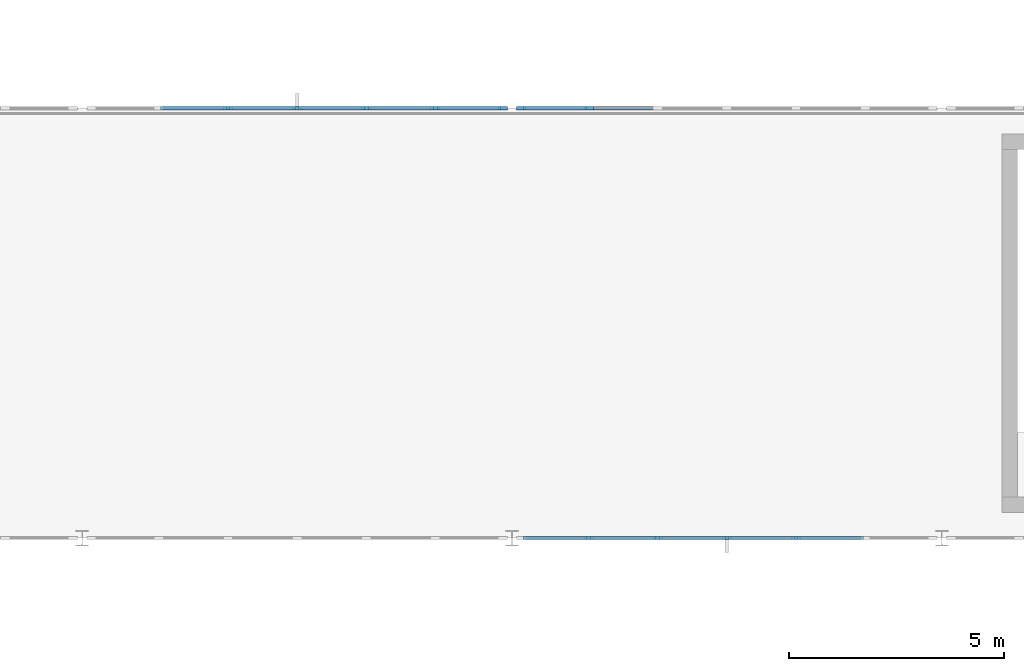
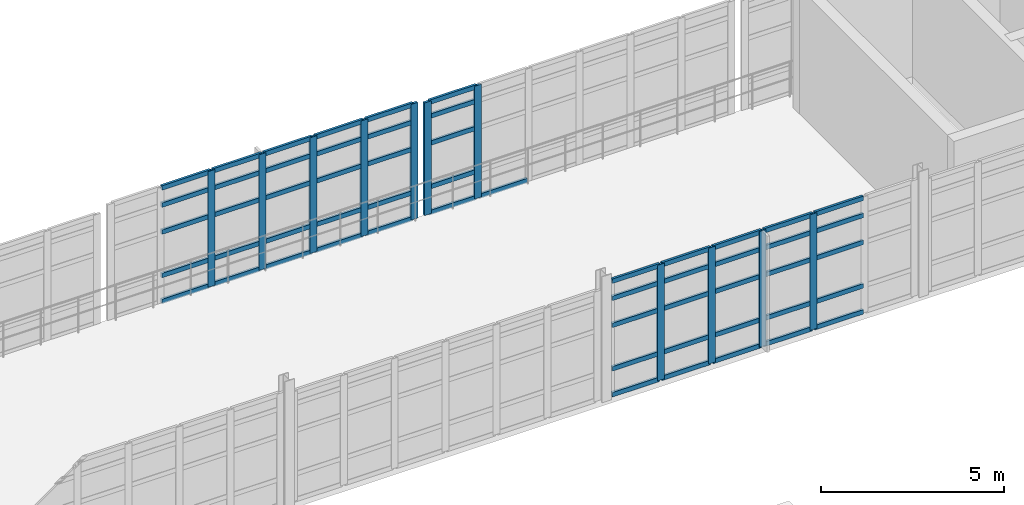
# One storey, part 45 of 122: 67 members, 3 elements without a shape of their own.
"""IFC4 building model written with IfcOpenShell, lengths in metres."""

from ifc_helpers import new_model, si_unit, direction, frame, origin, origin_2d, place, context, subcontext, project, spatial, rectangle, extrude, material, layer, layer_set, material_profile, profile_set, type_object, element, aggregate, save


model = new_model("IFC4")

# Units and contexts
model_context = context("Model", 3, precision=1e-05, world=origin(), true_north=direction((0.0, 1.0)))
body_context = subcontext(model_context, "Body", "Model", "MODEL_VIEW")
ifc_project = project(units=[si_unit("LENGTHUNIT", "METRE"), si_unit("AREAUNIT", "SQUARE_METRE"), si_unit("VOLUMEUNIT", "CUBIC_METRE"), si_unit("PLANEANGLEUNIT", "RADIAN"), si_unit("MASSUNIT", "GRAM", prefix="KILO"), si_unit("THERMODYNAMICTEMPERATUREUNIT", "KELVIN"), si_unit("POWERUNIT", "WATT")], contexts=[model_context])

# Site, building, storey
site_placement = place(None, origin())
site = spatial("IfcSite", under=ifc_project, at=site_placement, CompositionType="ELEMENT")
building_placement = place(site_placement, origin())
building = spatial("IfcBuilding", under=site, at=building_placement, Name="Korenveer Ferry Terminal", CompositionType="ELEMENT")
storey_placement = place(building_placement, frame((0.0, 0.0, 10.199951171875)))
storey = spatial("IfcBuildingStorey", under=building, at=storey_placement, Name="L02", CompositionType="ELEMENT", Elevation=10.199951171875)

# Curtain wall, members
ifc_material_1 = material(Name="Unitised bronze-and-glass curtain wall", Category="glass")
ifc_layer_1 = layer(ifc_material_1, 0.219970703125)
ifc_layer_set_1 = layer_set([ifc_layer_1], Name="Unitised bronze-and-glass curtain wall")
curtain_wall_type_1 = type_object("IfcCurtainWallType", Name="ENV-CW-92", PredefinedType="USERDEFINED", material=ifc_layer_set_1)
curtain_wall_1_placement = place(storey_placement, frame((103.179931640625, 50.0, 0.0)))
curtain_wall_1 = element("IfcCurtainWall", 1, at=curtain_wall_1_placement, inside=storey, type_object=curtain_wall_type_1, Name="Lancet curtain wall CWX-L02-X103-113-Y50-50", ObjectType="UNITISED CURTAIN WALL", PredefinedType="USERDEFINED")
ifc_material_2 = material(Name="Anodised bronze aluminium", Category="aluminium")
ifc_material_profile_1 = material_profile(ifc_material_2, rectangle(XDim=0.074951171875, YDim=0.219970703125, at=origin_2d()), Name="ALU 75x220")
ifc_profile_set_1 = profile_set([ifc_material_profile_1], Name="Anodised bronze aluminium")
member_type_1 = type_object("IfcMemberType", Name="ENV-CWM-75X220", PredefinedType="MULLION", material=ifc_profile_set_1)
member_1_placement = place(storey_placement, frame((104.78662109375, 50.0, 0.0), z_axis=(0.0, 0.0, 1.0), x_axis=(0.0, 1.0, 0.0)))
member_1 = element("IfcMember", 2, at=member_1_placement, type_object=member_type_1, Name="CW-92 mullion 2", PredefinedType="MULLION", context=body_context, shape_type="SweptSolid", body=[
    extrude(rectangle(XDim=0.074951171875, YDim=0.219970703125, at=origin_2d()), origin(), (0.0, 0.0, 1.0), 3.860107421875),
])
member_2_placement = place(storey_placement, frame((106.393310546875, 50.0, 0.0), z_axis=(0.0, 0.0, 1.0), x_axis=(0.0, 1.0, 0.0)))
member_2 = element("IfcMember", 3, at=member_2_placement, type_object=member_type_1, Name="CW-92 mullion 3", PredefinedType="MULLION", context=body_context, shape_type="SweptSolid", body=[
    extrude(rectangle(XDim=0.074951171875, YDim=0.219970703125, at=origin_2d()), origin(), (0.0, 0.0, 1.0), 3.860107421875),
])
member_3_placement = place(storey_placement, frame((108.0, 50.0, 0.0), z_axis=(0.0, 0.0, 1.0), x_axis=(0.0, 1.0, 0.0)))
member_3 = element("IfcMember", 4, at=member_3_placement, type_object=member_type_1, Name="CW-92 mullion 4", PredefinedType="MULLION", context=body_context, shape_type="SweptSolid", body=[
    extrude(rectangle(XDim=0.074951171875, YDim=0.219970703125, at=origin_2d()), origin(), (0.0, 0.0, 1.0), 3.860107421875),
])
member_4_placement = place(storey_placement, frame((109.606689453125, 50.0, 0.0), z_axis=(0.0, 0.0, 1.0), x_axis=(0.0, 1.0, 0.0)))
member_4 = element("IfcMember", 5, at=member_4_placement, type_object=member_type_1, Name="CW-92 mullion 5", PredefinedType="MULLION", context=body_context, shape_type="SweptSolid", body=[
    extrude(rectangle(XDim=0.074951171875, YDim=0.219970703125, at=origin_2d()), origin(), (0.0, 0.0, 1.0), 3.860107421875),
])

curtain_wall_2_placement = place(storey_placement, frame((93.179931640625, 60.0, 0.0)))
curtain_wall_2 = element("IfcCurtainWall", 6, at=curtain_wall_2_placement, inside=storey, type_object=curtain_wall_type_1, Name="Lancet curtain wall CWX-L02-X93-103-Y60-60", ObjectType="UNITISED CURTAIN WALL", PredefinedType="USERDEFINED")
member_5_placement = place(storey_placement, frame((96.393310546875, 60.0, 0.0), z_axis=(0.0, 0.0, 1.0), x_axis=(0.0, 1.0, 0.0)))
member_5 = element("IfcMember", 7, at=member_5_placement, type_object=member_type_1, Name="CW-92 mullion 3", PredefinedType="MULLION", context=body_context, shape_type="SweptSolid", body=[
    extrude(rectangle(XDim=0.074951171875, YDim=0.219970703125, at=origin_2d()), origin(), (0.0, 0.0, 1.0), 3.860107421875),
])
member_6_placement = place(storey_placement, frame((98.0, 60.0, 0.0), z_axis=(0.0, 0.0, 1.0), x_axis=(0.0, 1.0, 0.0)))
member_6 = element("IfcMember", 8, at=member_6_placement, type_object=member_type_1, Name="CW-92 mullion 4", PredefinedType="MULLION", context=body_context, shape_type="SweptSolid", body=[
    extrude(rectangle(XDim=0.074951171875, YDim=0.219970703125, at=origin_2d()), origin(), (0.0, 0.0, 1.0), 3.860107421875),
])
member_7_placement = place(storey_placement, frame((99.606689453125, 60.0, 0.0), z_axis=(0.0, 0.0, 1.0), x_axis=(0.0, 1.0, 0.0)))
member_7 = element("IfcMember", 9, at=member_7_placement, type_object=member_type_1, Name="CW-92 mullion 5", PredefinedType="MULLION", context=body_context, shape_type="SweptSolid", body=[
    extrude(rectangle(XDim=0.074951171875, YDim=0.219970703125, at=origin_2d()), origin(), (0.0, 0.0, 1.0), 3.860107421875),
])
member_8_placement = place(storey_placement, frame((101.21337890625, 60.0, 0.0), z_axis=(0.0, 0.0, 1.0), x_axis=(0.0, 1.0, 0.0)))
member_8 = element("IfcMember", 10, at=member_8_placement, type_object=member_type_1, Name="CW-92 mullion 6", PredefinedType="MULLION", context=body_context, shape_type="SweptSolid", body=[
    extrude(rectangle(XDim=0.074951171875, YDim=0.219970703125, at=origin_2d()), origin(), (0.0, 0.0, 1.0), 3.860107421875),
])
member_9_placement = place(storey_placement, frame((102.782470703125, 60.0, 0.0), z_axis=(0.0, 0.0, 1.0), x_axis=(0.0, 1.0, 0.0)))
member_9 = element("IfcMember", 11, at=member_9_placement, type_object=member_type_1, Name="CW-92 mullion 7", PredefinedType="MULLION", context=body_context, shape_type="SweptSolid", body=[
    extrude(rectangle(XDim=0.074951171875, YDim=0.219970703125, at=origin_2d()), origin(), (0.0, 0.0, 1.0), 3.860107421875),
])

ifc_layer_2 = layer(ifc_material_1, 0.219970703125)
ifc_layer_set_2 = layer_set([ifc_layer_2], Name="Unitised bronze-and-glass curtain wall")
curtain_wall_type_2 = type_object("IfcCurtainWallType", Name="ENV-CW-90", PredefinedType="USERDEFINED", material=ifc_layer_set_2)
curtain_wall_3_placement = place(storey_placement, frame((103.179931640625, 60.0, 0.0)))
curtain_wall_3 = element("IfcCurtainWall", 12, at=curtain_wall_3_placement, inside=storey, type_object=curtain_wall_type_2, Name="Lancet curtain wall CWX-L02-X103-113-Y60-60", ObjectType="UNITISED CURTAIN WALL", PredefinedType="USERDEFINED")
member_10_placement = place(storey_placement, frame((103.217529296875, 60.0, 0.0), z_axis=(0.0, 0.0, 1.0), x_axis=(0.0, 1.0, 0.0)))
member_10 = element("IfcMember", 13, at=member_10_placement, type_object=member_type_1, Name="CW-90 mullion 1", PredefinedType="MULLION", context=body_context, shape_type="SweptSolid", body=[
    extrude(rectangle(XDim=0.074951171875, YDim=0.219970703125, at=origin_2d()), origin(), (0.0, 0.0, 1.0), 3.760009765625),
])
member_11_placement = place(storey_placement, frame((104.78662109375, 60.0, 0.0), z_axis=(0.0, 0.0, 1.0), x_axis=(0.0, 1.0, 0.0)))
member_11 = element("IfcMember", 14, at=member_11_placement, type_object=member_type_1, Name="CW-90 mullion 2", PredefinedType="MULLION", context=body_context, shape_type="SweptSolid", body=[
    extrude(rectangle(XDim=0.074951171875, YDim=0.219970703125, at=origin_2d()), origin(), (0.0, 0.0, 1.0), 3.760009765625),
])

# Member
ifc_material_profile_2 = material_profile(ifc_material_2, rectangle(XDim=0.074951171875, YDim=0.14990234375, at=origin_2d()), Name="ALU 75x150")
ifc_profile_set_2 = profile_set([ifc_material_profile_2], Name="Anodised bronze aluminium")
member_type_2 = type_object("IfcMemberType", Name="ENV-CWT-75X150", PredefinedType="USERDEFINED", material=ifc_profile_set_2)
member_12_placement = place(storey_placement, frame((103.2548828125, 50.0, 0.03759765625), z_axis=(1.0, 0.0, 0.0), x_axis=(0.0, 1.0, 0.0)))
member_12 = element("IfcMember", 15, at=member_12_placement, type_object=member_type_2, Name="CW-92 transom 1.1", ObjectType="TRANSOM", PredefinedType="USERDEFINED", context=body_context, shape_type="SweptSolid", body=[
    extrude(rectangle(XDim=0.074951171875, YDim=0.14990234375, at=origin_2d()), origin(), (0.0, 0.0, 1.0), 1.494384765625),
])

member_13_placement = place(storey_placement, frame((103.2548828125, 50.0, 0.900146484375), z_axis=(1.0, 0.0, 0.0), x_axis=(0.0, 1.0, 0.0)))
member_13 = element("IfcMember", 16, at=member_13_placement, type_object=member_type_2, Name="CW-92 transom 1.2", ObjectType="TRANSOM", PredefinedType="USERDEFINED", context=body_context, shape_type="SweptSolid", body=[
    extrude(rectangle(XDim=0.074951171875, YDim=0.14990234375, at=origin_2d()), origin(), (0.0, 0.0, 1.0), 1.494384765625),
])

member_14_placement = place(storey_placement, frame((103.2548828125, 50.0, 2.35009765625), z_axis=(1.0, 0.0, 0.0), x_axis=(0.0, 1.0, 0.0)))
member_14 = element("IfcMember", 17, at=member_14_placement, type_object=member_type_2, Name="CW-92 transom 1.3", ObjectType="TRANSOM", PredefinedType="USERDEFINED", context=body_context, shape_type="SweptSolid", body=[
    extrude(rectangle(XDim=0.074951171875, YDim=0.14990234375, at=origin_2d()), origin(), (0.0, 0.0, 1.0), 1.494384765625),
])

member_15_placement = place(storey_placement, frame((103.2548828125, 50.0, 3.25), z_axis=(1.0, 0.0, 0.0), x_axis=(0.0, 1.0, 0.0)))
member_15 = element("IfcMember", 18, at=member_15_placement, type_object=member_type_2, Name="CW-92 transom 1.4", ObjectType="TRANSOM", PredefinedType="USERDEFINED", context=body_context, shape_type="SweptSolid", body=[
    extrude(rectangle(XDim=0.074951171875, YDim=0.14990234375, at=origin_2d()), origin(), (0.0, 0.0, 1.0), 1.494384765625),
])

member_16_placement = place(storey_placement, frame((103.2548828125, 50.0, 3.822509765625), z_axis=(1.0, 0.0, 0.0), x_axis=(0.0, 1.0, 0.0)))
member_16 = element("IfcMember", 19, at=member_16_placement, type_object=member_type_2, Name="CW-92 transom 1.5", ObjectType="TRANSOM", PredefinedType="USERDEFINED", context=body_context, shape_type="SweptSolid", body=[
    extrude(rectangle(XDim=0.074951171875, YDim=0.14990234375, at=origin_2d()), origin(), (0.0, 0.0, 1.0), 1.494384765625),
])

member_17_placement = place(storey_placement, frame((104.82421875, 50.0, 0.03759765625), z_axis=(1.0, 0.0, 0.0), x_axis=(0.0, 1.0, 0.0)))
member_17 = element("IfcMember", 20, at=member_17_placement, type_object=member_type_2, Name="CW-92 transom 2.1", ObjectType="TRANSOM", PredefinedType="USERDEFINED", context=body_context, shape_type="SweptSolid", body=[
    extrude(rectangle(XDim=0.074951171875, YDim=0.14990234375, at=origin_2d()), origin(), (0.0, 0.0, 1.0), 1.531494140625),
])

member_18_placement = place(storey_placement, frame((104.82421875, 50.0, 0.900146484375), z_axis=(1.0, 0.0, 0.0), x_axis=(0.0, 1.0, 0.0)))
member_18 = element("IfcMember", 21, at=member_18_placement, type_object=member_type_2, Name="CW-92 transom 2.2", ObjectType="TRANSOM", PredefinedType="USERDEFINED", context=body_context, shape_type="SweptSolid", body=[
    extrude(rectangle(XDim=0.074951171875, YDim=0.14990234375, at=origin_2d()), origin(), (0.0, 0.0, 1.0), 1.531494140625),
])

member_19_placement = place(storey_placement, frame((104.82421875, 50.0, 2.35009765625), z_axis=(1.0, 0.0, 0.0), x_axis=(0.0, 1.0, 0.0)))
member_19 = element("IfcMember", 22, at=member_19_placement, type_object=member_type_2, Name="CW-92 transom 2.3", ObjectType="TRANSOM", PredefinedType="USERDEFINED", context=body_context, shape_type="SweptSolid", body=[
    extrude(rectangle(XDim=0.074951171875, YDim=0.14990234375, at=origin_2d()), origin(), (0.0, 0.0, 1.0), 1.531494140625),
])

member_20_placement = place(storey_placement, frame((104.82421875, 50.0, 3.25), z_axis=(1.0, 0.0, 0.0), x_axis=(0.0, 1.0, 0.0)))
member_20 = element("IfcMember", 23, at=member_20_placement, type_object=member_type_2, Name="CW-92 transom 2.4", ObjectType="TRANSOM", PredefinedType="USERDEFINED", context=body_context, shape_type="SweptSolid", body=[
    extrude(rectangle(XDim=0.074951171875, YDim=0.14990234375, at=origin_2d()), origin(), (0.0, 0.0, 1.0), 1.531494140625),
])

member_21_placement = place(storey_placement, frame((104.82421875, 50.0, 3.822509765625), z_axis=(1.0, 0.0, 0.0), x_axis=(0.0, 1.0, 0.0)))
member_21 = element("IfcMember", 24, at=member_21_placement, type_object=member_type_2, Name="CW-92 transom 2.5", ObjectType="TRANSOM", PredefinedType="USERDEFINED", context=body_context, shape_type="SweptSolid", body=[
    extrude(rectangle(XDim=0.074951171875, YDim=0.14990234375, at=origin_2d()), origin(), (0.0, 0.0, 1.0), 1.531494140625),
])

member_22_placement = place(storey_placement, frame((106.430908203125, 50.0, 0.03759765625), z_axis=(1.0, 0.0, 0.0), x_axis=(0.0, 1.0, 0.0)))
member_22 = element("IfcMember", 25, at=member_22_placement, type_object=member_type_2, Name="CW-92 transom 3.1", ObjectType="TRANSOM", PredefinedType="USERDEFINED", context=body_context, shape_type="SweptSolid", body=[
    extrude(rectangle(XDim=0.074951171875, YDim=0.14990234375, at=origin_2d()), origin(), (0.0, 0.0, 1.0), 1.531494140625),
])

member_23_placement = place(storey_placement, frame((106.430908203125, 50.0, 0.900146484375), z_axis=(1.0, 0.0, 0.0), x_axis=(0.0, 1.0, 0.0)))
member_23 = element("IfcMember", 26, at=member_23_placement, type_object=member_type_2, Name="CW-92 transom 3.2", ObjectType="TRANSOM", PredefinedType="USERDEFINED", context=body_context, shape_type="SweptSolid", body=[
    extrude(rectangle(XDim=0.074951171875, YDim=0.14990234375, at=origin_2d()), origin(), (0.0, 0.0, 1.0), 1.531494140625),
])

member_24_placement = place(storey_placement, frame((106.430908203125, 50.0, 2.35009765625), z_axis=(1.0, 0.0, 0.0), x_axis=(0.0, 1.0, 0.0)))
member_24 = element("IfcMember", 27, at=member_24_placement, type_object=member_type_2, Name="CW-92 transom 3.3", ObjectType="TRANSOM", PredefinedType="USERDEFINED", context=body_context, shape_type="SweptSolid", body=[
    extrude(rectangle(XDim=0.074951171875, YDim=0.14990234375, at=origin_2d()), origin(), (0.0, 0.0, 1.0), 1.531494140625),
])

member_25_placement = place(storey_placement, frame((106.430908203125, 50.0, 3.25), z_axis=(1.0, 0.0, 0.0), x_axis=(0.0, 1.0, 0.0)))
member_25 = element("IfcMember", 28, at=member_25_placement, type_object=member_type_2, Name="CW-92 transom 3.4", ObjectType="TRANSOM", PredefinedType="USERDEFINED", context=body_context, shape_type="SweptSolid", body=[
    extrude(rectangle(XDim=0.074951171875, YDim=0.14990234375, at=origin_2d()), origin(), (0.0, 0.0, 1.0), 1.531494140625),
])

member_26_placement = place(storey_placement, frame((106.430908203125, 50.0, 3.822509765625), z_axis=(1.0, 0.0, 0.0), x_axis=(0.0, 1.0, 0.0)))
member_26 = element("IfcMember", 29, at=member_26_placement, type_object=member_type_2, Name="CW-92 transom 3.5", ObjectType="TRANSOM", PredefinedType="USERDEFINED", context=body_context, shape_type="SweptSolid", body=[
    extrude(rectangle(XDim=0.074951171875, YDim=0.14990234375, at=origin_2d()), origin(), (0.0, 0.0, 1.0), 1.531494140625),
])

member_27_placement = place(storey_placement, frame((108.03759765625, 50.0, 0.03759765625), z_axis=(1.0, 0.0, 0.0), x_axis=(0.0, 1.0, 0.0)))
member_27 = element("IfcMember", 30, at=member_27_placement, type_object=member_type_2, Name="CW-92 transom 4.1", ObjectType="TRANSOM", PredefinedType="USERDEFINED", context=body_context, shape_type="SweptSolid", body=[
    extrude(rectangle(XDim=0.074951171875, YDim=0.14990234375, at=origin_2d()), origin(), (0.0, 0.0, 1.0), 1.531494140625),
])

member_28_placement = place(storey_placement, frame((108.03759765625, 50.0, 0.900146484375), z_axis=(1.0, 0.0, 0.0), x_axis=(0.0, 1.0, 0.0)))
member_28 = element("IfcMember", 31, at=member_28_placement, type_object=member_type_2, Name="CW-92 transom 4.2", ObjectType="TRANSOM", PredefinedType="USERDEFINED", context=body_context, shape_type="SweptSolid", body=[
    extrude(rectangle(XDim=0.074951171875, YDim=0.14990234375, at=origin_2d()), origin(), (0.0, 0.0, 1.0), 1.531494140625),
])

member_29_placement = place(storey_placement, frame((108.03759765625, 50.0, 2.35009765625), z_axis=(1.0, 0.0, 0.0), x_axis=(0.0, 1.0, 0.0)))
member_29 = element("IfcMember", 32, at=member_29_placement, type_object=member_type_2, Name="CW-92 transom 4.3", ObjectType="TRANSOM", PredefinedType="USERDEFINED", context=body_context, shape_type="SweptSolid", body=[
    extrude(rectangle(XDim=0.074951171875, YDim=0.14990234375, at=origin_2d()), origin(), (0.0, 0.0, 1.0), 1.531494140625),
])

member_30_placement = place(storey_placement, frame((108.03759765625, 50.0, 3.25), z_axis=(1.0, 0.0, 0.0), x_axis=(0.0, 1.0, 0.0)))
member_30 = element("IfcMember", 33, at=member_30_placement, type_object=member_type_2, Name="CW-92 transom 4.4", ObjectType="TRANSOM", PredefinedType="USERDEFINED", context=body_context, shape_type="SweptSolid", body=[
    extrude(rectangle(XDim=0.074951171875, YDim=0.14990234375, at=origin_2d()), origin(), (0.0, 0.0, 1.0), 1.531494140625),
])

member_31_placement = place(storey_placement, frame((108.03759765625, 50.0, 3.822509765625), z_axis=(1.0, 0.0, 0.0), x_axis=(0.0, 1.0, 0.0)))
member_31 = element("IfcMember", 34, at=member_31_placement, type_object=member_type_2, Name="CW-92 transom 4.5", ObjectType="TRANSOM", PredefinedType="USERDEFINED", context=body_context, shape_type="SweptSolid", body=[
    extrude(rectangle(XDim=0.074951171875, YDim=0.14990234375, at=origin_2d()), origin(), (0.0, 0.0, 1.0), 1.531494140625),
])

member_32_placement = place(storey_placement, frame((109.644287109375, 50.0, 0.03759765625), z_axis=(1.0, 0.0, 0.0), x_axis=(0.0, 1.0, 0.0)))
member_32 = element("IfcMember", 35, at=member_32_placement, type_object=member_type_2, Name="CW-92 transom 5.1", ObjectType="TRANSOM", PredefinedType="USERDEFINED", context=body_context, shape_type="SweptSolid", body=[
    extrude(rectangle(XDim=0.074951171875, YDim=0.14990234375, at=origin_2d()), origin(), (0.0, 0.0, 1.0), 1.531494140625),
])

member_33_placement = place(storey_placement, frame((109.644287109375, 50.0, 0.900146484375), z_axis=(1.0, 0.0, 0.0), x_axis=(0.0, 1.0, 0.0)))
member_33 = element("IfcMember", 36, at=member_33_placement, type_object=member_type_2, Name="CW-92 transom 5.2", ObjectType="TRANSOM", PredefinedType="USERDEFINED", context=body_context, shape_type="SweptSolid", body=[
    extrude(rectangle(XDim=0.074951171875, YDim=0.14990234375, at=origin_2d()), origin(), (0.0, 0.0, 1.0), 1.531494140625),
])

member_34_placement = place(storey_placement, frame((109.644287109375, 50.0, 2.35009765625), z_axis=(1.0, 0.0, 0.0), x_axis=(0.0, 1.0, 0.0)))
member_34 = element("IfcMember", 37, at=member_34_placement, type_object=member_type_2, Name="CW-92 transom 5.3", ObjectType="TRANSOM", PredefinedType="USERDEFINED", context=body_context, shape_type="SweptSolid", body=[
    extrude(rectangle(XDim=0.074951171875, YDim=0.14990234375, at=origin_2d()), origin(), (0.0, 0.0, 1.0), 1.531494140625),
])

member_35_placement = place(storey_placement, frame((109.644287109375, 50.0, 3.25), z_axis=(1.0, 0.0, 0.0), x_axis=(0.0, 1.0, 0.0)))
member_35 = element("IfcMember", 38, at=member_35_placement, type_object=member_type_2, Name="CW-92 transom 5.4", ObjectType="TRANSOM", PredefinedType="USERDEFINED", context=body_context, shape_type="SweptSolid", body=[
    extrude(rectangle(XDim=0.074951171875, YDim=0.14990234375, at=origin_2d()), origin(), (0.0, 0.0, 1.0), 1.531494140625),
])

member_36_placement = place(storey_placement, frame((109.644287109375, 50.0, 3.822509765625), z_axis=(1.0, 0.0, 0.0), x_axis=(0.0, 1.0, 0.0)))
member_36 = element("IfcMember", 39, at=member_36_placement, type_object=member_type_2, Name="CW-92 transom 5.5", ObjectType="TRANSOM", PredefinedType="USERDEFINED", context=body_context, shape_type="SweptSolid", body=[
    extrude(rectangle(XDim=0.074951171875, YDim=0.14990234375, at=origin_2d()), origin(), (0.0, 0.0, 1.0), 1.531494140625),
])

aggregate(curtain_wall_1, [member_1, member_2, member_3, member_4, member_12, member_13, member_14, member_15, member_16, member_17, member_18, member_19, member_20, member_21, member_22, member_23, member_24, member_25, member_26, member_27, member_28, member_29, member_30, member_31, member_32, member_33, member_34, member_35, member_36])

member_37_placement = place(storey_placement, frame((94.82421875, 60.0, 0.03759765625), z_axis=(1.0, 0.0, 0.0), x_axis=(0.0, 1.0, 0.0)))
member_37 = element("IfcMember", 40, at=member_37_placement, type_object=member_type_2, Name="CW-92 transom 2.1", ObjectType="TRANSOM", PredefinedType="USERDEFINED", context=body_context, shape_type="SweptSolid", body=[
    extrude(rectangle(XDim=0.074951171875, YDim=0.14990234375, at=origin_2d()), origin(), (0.0, 0.0, 1.0), 1.531494140625),
])

member_38_placement = place(storey_placement, frame((94.82421875, 60.0, 0.900146484375), z_axis=(1.0, 0.0, 0.0), x_axis=(0.0, 1.0, 0.0)))
member_38 = element("IfcMember", 41, at=member_38_placement, type_object=member_type_2, Name="CW-92 transom 2.2", ObjectType="TRANSOM", PredefinedType="USERDEFINED", context=body_context, shape_type="SweptSolid", body=[
    extrude(rectangle(XDim=0.074951171875, YDim=0.14990234375, at=origin_2d()), origin(), (0.0, 0.0, 1.0), 1.531494140625),
])

member_39_placement = place(storey_placement, frame((94.82421875, 60.0, 2.35009765625), z_axis=(1.0, 0.0, 0.0), x_axis=(0.0, 1.0, 0.0)))
member_39 = element("IfcMember", 42, at=member_39_placement, type_object=member_type_2, Name="CW-92 transom 2.3", ObjectType="TRANSOM", PredefinedType="USERDEFINED", context=body_context, shape_type="SweptSolid", body=[
    extrude(rectangle(XDim=0.074951171875, YDim=0.14990234375, at=origin_2d()), origin(), (0.0, 0.0, 1.0), 1.531494140625),
])

member_40_placement = place(storey_placement, frame((94.82421875, 60.0, 3.25), z_axis=(1.0, 0.0, 0.0), x_axis=(0.0, 1.0, 0.0)))
member_40 = element("IfcMember", 43, at=member_40_placement, type_object=member_type_2, Name="CW-92 transom 2.4", ObjectType="TRANSOM", PredefinedType="USERDEFINED", context=body_context, shape_type="SweptSolid", body=[
    extrude(rectangle(XDim=0.074951171875, YDim=0.14990234375, at=origin_2d()), origin(), (0.0, 0.0, 1.0), 1.531494140625),
])

member_41_placement = place(storey_placement, frame((94.82421875, 60.0, 3.822509765625), z_axis=(1.0, 0.0, 0.0), x_axis=(0.0, 1.0, 0.0)))
member_41 = element("IfcMember", 44, at=member_41_placement, type_object=member_type_2, Name="CW-92 transom 2.5", ObjectType="TRANSOM", PredefinedType="USERDEFINED", context=body_context, shape_type="SweptSolid", body=[
    extrude(rectangle(XDim=0.074951171875, YDim=0.14990234375, at=origin_2d()), origin(), (0.0, 0.0, 1.0), 1.531494140625),
])

member_42_placement = place(storey_placement, frame((96.430908203125, 60.0, 0.03759765625), z_axis=(1.0, 0.0, 0.0), x_axis=(0.0, 1.0, 0.0)))
member_42 = element("IfcMember", 45, at=member_42_placement, type_object=member_type_2, Name="CW-92 transom 3.1", ObjectType="TRANSOM", PredefinedType="USERDEFINED", context=body_context, shape_type="SweptSolid", body=[
    extrude(rectangle(XDim=0.074951171875, YDim=0.14990234375, at=origin_2d()), origin(), (0.0, 0.0, 1.0), 1.531494140625),
])

member_43_placement = place(storey_placement, frame((96.430908203125, 60.0, 0.900146484375), z_axis=(1.0, 0.0, 0.0), x_axis=(0.0, 1.0, 0.0)))
member_43 = element("IfcMember", 46, at=member_43_placement, type_object=member_type_2, Name="CW-92 transom 3.2", ObjectType="TRANSOM", PredefinedType="USERDEFINED", context=body_context, shape_type="SweptSolid", body=[
    extrude(rectangle(XDim=0.074951171875, YDim=0.14990234375, at=origin_2d()), origin(), (0.0, 0.0, 1.0), 1.531494140625),
])

member_44_placement = place(storey_placement, frame((96.430908203125, 60.0, 2.35009765625), z_axis=(1.0, 0.0, 0.0), x_axis=(0.0, 1.0, 0.0)))
member_44 = element("IfcMember", 47, at=member_44_placement, type_object=member_type_2, Name="CW-92 transom 3.3", ObjectType="TRANSOM", PredefinedType="USERDEFINED", context=body_context, shape_type="SweptSolid", body=[
    extrude(rectangle(XDim=0.074951171875, YDim=0.14990234375, at=origin_2d()), origin(), (0.0, 0.0, 1.0), 1.531494140625),
])

member_45_placement = place(storey_placement, frame((96.430908203125, 60.0, 3.25), z_axis=(1.0, 0.0, 0.0), x_axis=(0.0, 1.0, 0.0)))
member_45 = element("IfcMember", 48, at=member_45_placement, type_object=member_type_2, Name="CW-92 transom 3.4", ObjectType="TRANSOM", PredefinedType="USERDEFINED", context=body_context, shape_type="SweptSolid", body=[
    extrude(rectangle(XDim=0.074951171875, YDim=0.14990234375, at=origin_2d()), origin(), (0.0, 0.0, 1.0), 1.531494140625),
])

member_46_placement = place(storey_placement, frame((96.430908203125, 60.0, 3.822509765625), z_axis=(1.0, 0.0, 0.0), x_axis=(0.0, 1.0, 0.0)))
member_46 = element("IfcMember", 49, at=member_46_placement, type_object=member_type_2, Name="CW-92 transom 3.5", ObjectType="TRANSOM", PredefinedType="USERDEFINED", context=body_context, shape_type="SweptSolid", body=[
    extrude(rectangle(XDim=0.074951171875, YDim=0.14990234375, at=origin_2d()), origin(), (0.0, 0.0, 1.0), 1.531494140625),
])

member_47_placement = place(storey_placement, frame((98.03759765625, 60.0, 0.03759765625), z_axis=(1.0, 0.0, 0.0), x_axis=(0.0, 1.0, 0.0)))
member_47 = element("IfcMember", 50, at=member_47_placement, type_object=member_type_2, Name="CW-92 transom 4.1", ObjectType="TRANSOM", PredefinedType="USERDEFINED", context=body_context, shape_type="SweptSolid", body=[
    extrude(rectangle(XDim=0.074951171875, YDim=0.14990234375, at=origin_2d()), origin(), (0.0, 0.0, 1.0), 1.531494140625),
])

member_48_placement = place(storey_placement, frame((98.03759765625, 60.0, 0.900146484375), z_axis=(1.0, 0.0, 0.0), x_axis=(0.0, 1.0, 0.0)))
member_48 = element("IfcMember", 51, at=member_48_placement, type_object=member_type_2, Name="CW-92 transom 4.2", ObjectType="TRANSOM", PredefinedType="USERDEFINED", context=body_context, shape_type="SweptSolid", body=[
    extrude(rectangle(XDim=0.074951171875, YDim=0.14990234375, at=origin_2d()), origin(), (0.0, 0.0, 1.0), 1.531494140625),
])

member_49_placement = place(storey_placement, frame((98.03759765625, 60.0, 2.35009765625), z_axis=(1.0, 0.0, 0.0), x_axis=(0.0, 1.0, 0.0)))
member_49 = element("IfcMember", 52, at=member_49_placement, type_object=member_type_2, Name="CW-92 transom 4.3", ObjectType="TRANSOM", PredefinedType="USERDEFINED", context=body_context, shape_type="SweptSolid", body=[
    extrude(rectangle(XDim=0.074951171875, YDim=0.14990234375, at=origin_2d()), origin(), (0.0, 0.0, 1.0), 1.531494140625),
])

member_50_placement = place(storey_placement, frame((98.03759765625, 60.0, 3.25), z_axis=(1.0, 0.0, 0.0), x_axis=(0.0, 1.0, 0.0)))
member_50 = element("IfcMember", 53, at=member_50_placement, type_object=member_type_2, Name="CW-92 transom 4.4", ObjectType="TRANSOM", PredefinedType="USERDEFINED", context=body_context, shape_type="SweptSolid", body=[
    extrude(rectangle(XDim=0.074951171875, YDim=0.14990234375, at=origin_2d()), origin(), (0.0, 0.0, 1.0), 1.531494140625),
])

member_51_placement = place(storey_placement, frame((98.03759765625, 60.0, 3.822509765625), z_axis=(1.0, 0.0, 0.0), x_axis=(0.0, 1.0, 0.0)))
member_51 = element("IfcMember", 54, at=member_51_placement, type_object=member_type_2, Name="CW-92 transom 4.5", ObjectType="TRANSOM", PredefinedType="USERDEFINED", context=body_context, shape_type="SweptSolid", body=[
    extrude(rectangle(XDim=0.074951171875, YDim=0.14990234375, at=origin_2d()), origin(), (0.0, 0.0, 1.0), 1.531494140625),
])

member_52_placement = place(storey_placement, frame((99.644287109375, 60.0, 0.03759765625), z_axis=(1.0, 0.0, 0.0), x_axis=(0.0, 1.0, 0.0)))
member_52 = element("IfcMember", 55, at=member_52_placement, type_object=member_type_2, Name="CW-92 transom 5.1", ObjectType="TRANSOM", PredefinedType="USERDEFINED", context=body_context, shape_type="SweptSolid", body=[
    extrude(rectangle(XDim=0.074951171875, YDim=0.14990234375, at=origin_2d()), origin(), (0.0, 0.0, 1.0), 1.531494140625),
])

member_53_placement = place(storey_placement, frame((99.644287109375, 60.0, 0.900146484375), z_axis=(1.0, 0.0, 0.0), x_axis=(0.0, 1.0, 0.0)))
member_53 = element("IfcMember", 56, at=member_53_placement, type_object=member_type_2, Name="CW-92 transom 5.2", ObjectType="TRANSOM", PredefinedType="USERDEFINED", context=body_context, shape_type="SweptSolid", body=[
    extrude(rectangle(XDim=0.074951171875, YDim=0.14990234375, at=origin_2d()), origin(), (0.0, 0.0, 1.0), 1.531494140625),
])

member_54_placement = place(storey_placement, frame((99.644287109375, 60.0, 2.35009765625), z_axis=(1.0, 0.0, 0.0), x_axis=(0.0, 1.0, 0.0)))
member_54 = element("IfcMember", 57, at=member_54_placement, type_object=member_type_2, Name="CW-92 transom 5.3", ObjectType="TRANSOM", PredefinedType="USERDEFINED", context=body_context, shape_type="SweptSolid", body=[
    extrude(rectangle(XDim=0.074951171875, YDim=0.14990234375, at=origin_2d()), origin(), (0.0, 0.0, 1.0), 1.531494140625),
])

member_55_placement = place(storey_placement, frame((99.644287109375, 60.0, 3.25), z_axis=(1.0, 0.0, 0.0), x_axis=(0.0, 1.0, 0.0)))
member_55 = element("IfcMember", 58, at=member_55_placement, type_object=member_type_2, Name="CW-92 transom 5.4", ObjectType="TRANSOM", PredefinedType="USERDEFINED", context=body_context, shape_type="SweptSolid", body=[
    extrude(rectangle(XDim=0.074951171875, YDim=0.14990234375, at=origin_2d()), origin(), (0.0, 0.0, 1.0), 1.531494140625),
])

member_56_placement = place(storey_placement, frame((99.644287109375, 60.0, 3.822509765625), z_axis=(1.0, 0.0, 0.0), x_axis=(0.0, 1.0, 0.0)))
member_56 = element("IfcMember", 59, at=member_56_placement, type_object=member_type_2, Name="CW-92 transom 5.5", ObjectType="TRANSOM", PredefinedType="USERDEFINED", context=body_context, shape_type="SweptSolid", body=[
    extrude(rectangle(XDim=0.074951171875, YDim=0.14990234375, at=origin_2d()), origin(), (0.0, 0.0, 1.0), 1.531494140625),
])

member_57_placement = place(storey_placement, frame((101.250732421875, 60.0, 0.03759765625), z_axis=(1.0, 0.0, 0.0), x_axis=(0.0, 1.0, 0.0)))
member_57 = element("IfcMember", 60, at=member_57_placement, type_object=member_type_2, Name="CW-92 transom 6.1", ObjectType="TRANSOM", PredefinedType="USERDEFINED", context=body_context, shape_type="SweptSolid", body=[
    extrude(rectangle(XDim=0.074951171875, YDim=0.14990234375, at=origin_2d()), origin(), (0.0, 0.0, 1.0), 1.494384765625),
])

member_58_placement = place(storey_placement, frame((101.250732421875, 60.0, 0.900146484375), z_axis=(1.0, 0.0, 0.0), x_axis=(0.0, 1.0, 0.0)))
member_58 = element("IfcMember", 61, at=member_58_placement, type_object=member_type_2, Name="CW-92 transom 6.2", ObjectType="TRANSOM", PredefinedType="USERDEFINED", context=body_context, shape_type="SweptSolid", body=[
    extrude(rectangle(XDim=0.074951171875, YDim=0.14990234375, at=origin_2d()), origin(), (0.0, 0.0, 1.0), 1.494384765625),
])

member_59_placement = place(storey_placement, frame((101.250732421875, 60.0, 2.35009765625), z_axis=(1.0, 0.0, 0.0), x_axis=(0.0, 1.0, 0.0)))
member_59 = element("IfcMember", 62, at=member_59_placement, type_object=member_type_2, Name="CW-92 transom 6.3", ObjectType="TRANSOM", PredefinedType="USERDEFINED", context=body_context, shape_type="SweptSolid", body=[
    extrude(rectangle(XDim=0.074951171875, YDim=0.14990234375, at=origin_2d()), origin(), (0.0, 0.0, 1.0), 1.494384765625),
])

member_60_placement = place(storey_placement, frame((101.250732421875, 60.0, 3.25), z_axis=(1.0, 0.0, 0.0), x_axis=(0.0, 1.0, 0.0)))
member_60 = element("IfcMember", 63, at=member_60_placement, type_object=member_type_2, Name="CW-92 transom 6.4", ObjectType="TRANSOM", PredefinedType="USERDEFINED", context=body_context, shape_type="SweptSolid", body=[
    extrude(rectangle(XDim=0.074951171875, YDim=0.14990234375, at=origin_2d()), origin(), (0.0, 0.0, 1.0), 1.494384765625),
])

member_61_placement = place(storey_placement, frame((101.250732421875, 60.0, 3.822509765625), z_axis=(1.0, 0.0, 0.0), x_axis=(0.0, 1.0, 0.0)))
member_61 = element("IfcMember", 64, at=member_61_placement, type_object=member_type_2, Name="CW-92 transom 6.5", ObjectType="TRANSOM", PredefinedType="USERDEFINED", context=body_context, shape_type="SweptSolid", body=[
    extrude(rectangle(XDim=0.074951171875, YDim=0.14990234375, at=origin_2d()), origin(), (0.0, 0.0, 1.0), 1.494384765625),
])

aggregate(curtain_wall_2, [member_5, member_6, member_7, member_8, member_9, member_37, member_38, member_39, member_40, member_41, member_42, member_43, member_44, member_45, member_46, member_47, member_48, member_49, member_50, member_51, member_52, member_53, member_54, member_55, member_56, member_57, member_58, member_59, member_60, member_61])

member_62_placement = place(storey_placement, frame((103.2548828125, 60.0, 0.03759765625), z_axis=(1.0, 0.0, 0.0), x_axis=(0.0, 1.0, 0.0)))
member_62 = element("IfcMember", 65, at=member_62_placement, type_object=member_type_2, Name="CW-90 transom 1.1", ObjectType="TRANSOM", PredefinedType="USERDEFINED", context=body_context, shape_type="SweptSolid", body=[
    extrude(rectangle(XDim=0.074951171875, YDim=0.14990234375, at=origin_2d()), origin(), (0.0, 0.0, 1.0), 1.494384765625),
])

member_63_placement = place(storey_placement, frame((103.2548828125, 60.0, 0.900146484375), z_axis=(1.0, 0.0, 0.0), x_axis=(0.0, 1.0, 0.0)))
member_63 = element("IfcMember", 66, at=member_63_placement, type_object=member_type_2, Name="CW-90 transom 1.2", ObjectType="TRANSOM", PredefinedType="USERDEFINED", context=body_context, shape_type="SweptSolid", body=[
    extrude(rectangle(XDim=0.074951171875, YDim=0.14990234375, at=origin_2d()), origin(), (0.0, 0.0, 1.0), 1.494384765625),
])

member_64_placement = place(storey_placement, frame((103.2548828125, 60.0, 2.35009765625), z_axis=(1.0, 0.0, 0.0), x_axis=(0.0, 1.0, 0.0)))
member_64 = element("IfcMember", 67, at=member_64_placement, type_object=member_type_2, Name="CW-90 transom 1.3", ObjectType="TRANSOM", PredefinedType="USERDEFINED", context=body_context, shape_type="SweptSolid", body=[
    extrude(rectangle(XDim=0.074951171875, YDim=0.14990234375, at=origin_2d()), origin(), (0.0, 0.0, 1.0), 1.494384765625),
])

member_65_placement = place(storey_placement, frame((103.2548828125, 60.0, 3.25), z_axis=(1.0, 0.0, 0.0), x_axis=(0.0, 1.0, 0.0)))
member_65 = element("IfcMember", 68, at=member_65_placement, type_object=member_type_2, Name="CW-90 transom 1.4", ObjectType="TRANSOM", PredefinedType="USERDEFINED", context=body_context, shape_type="SweptSolid", body=[
    extrude(rectangle(XDim=0.074951171875, YDim=0.14990234375, at=origin_2d()), origin(), (0.0, 0.0, 1.0), 1.494384765625),
])

member_66_placement = place(storey_placement, frame((103.2548828125, 60.0, 3.72265625), z_axis=(1.0, 0.0, 0.0), x_axis=(0.0, 1.0, 0.0)))
member_66 = element("IfcMember", 69, at=member_66_placement, type_object=member_type_2, Name="CW-90 transom 1.5", ObjectType="TRANSOM", PredefinedType="USERDEFINED", context=body_context, shape_type="SweptSolid", body=[
    extrude(rectangle(XDim=0.074951171875, YDim=0.14990234375, at=origin_2d()), origin(), (0.0, 0.0, 1.0), 1.494384765625),
])

member_67_placement = place(storey_placement, frame((104.82421875, 60.0, 0.03759765625), z_axis=(1.0, 0.0, 0.0), x_axis=(0.0, 1.0, 0.0)))
member_67 = element("IfcMember", 70, at=member_67_placement, type_object=member_type_2, Name="CW-90 transom 2.1", ObjectType="TRANSOM", PredefinedType="USERDEFINED", context=body_context, shape_type="SweptSolid", body=[
    extrude(rectangle(XDim=0.074951171875, YDim=0.14990234375, at=origin_2d()), origin(), (0.0, 0.0, 1.0), 1.531494140625),
])

aggregate(curtain_wall_3, [member_10, member_11, member_62, member_63, member_64, member_65, member_66, member_67])

save(model, "model.ifc")
